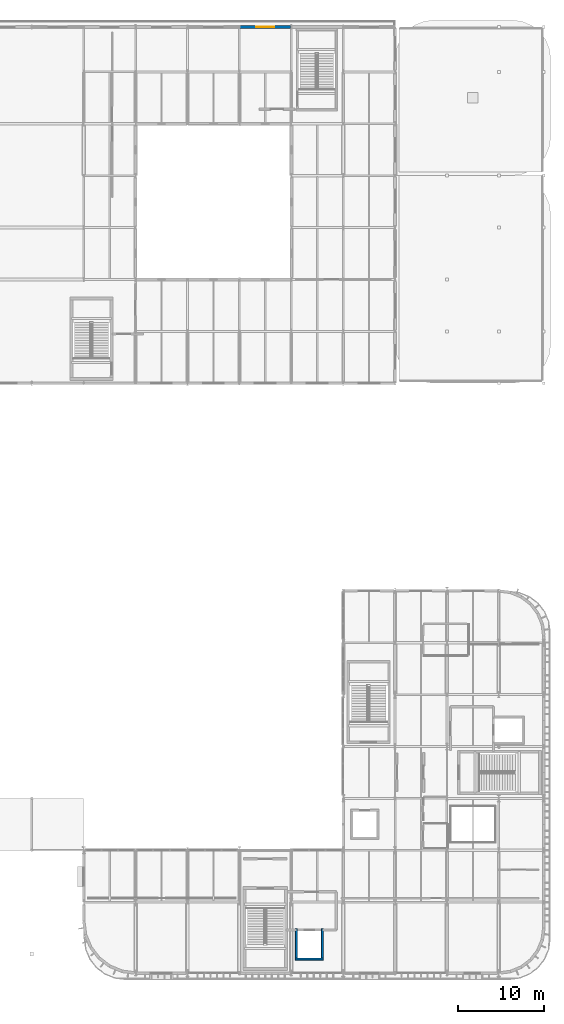
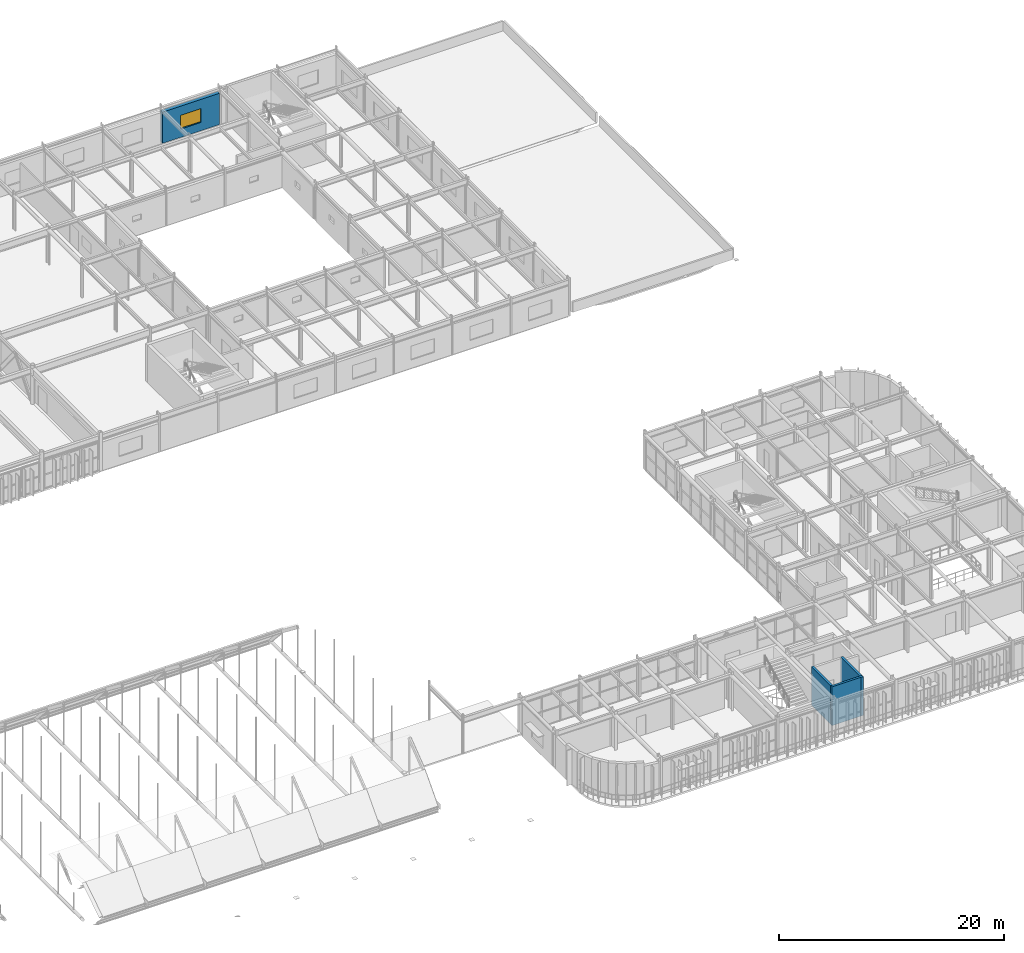
# One storey, part 93 of 116: 4 walls, 1 window, 1 opening.
"""IFC4 building model written with IfcOpenShell, lengths in metres."""

from ifc_helpers import new_model, si_unit, direction, frame, frame_2d, origin, place, context, subcontext, project, spatial, rectangle, extrude, material, layer, layer_set, type_object, element, fill, save


model = new_model("IFC4")

# Units and contexts
model_context = context("Model", 3, precision=1e-05, world=origin(), true_north=direction((0.0, 1.0)))
body_context = subcontext(model_context, "Body", "Model", "MODEL_VIEW")
ifc_project = project(units=[si_unit("LENGTHUNIT", "METRE"), si_unit("AREAUNIT", "SQUARE_METRE"), si_unit("VOLUMEUNIT", "CUBIC_METRE"), si_unit("PLANEANGLEUNIT", "RADIAN"), si_unit("MASSUNIT", "GRAM", prefix="KILO")], contexts=[model_context])

# Site, building, storey
site_placement = place(None, origin())
site = spatial("IfcSite", under=ifc_project, at=site_placement, CompositionType="ELEMENT")
building_placement = place(site_placement, origin())
building = spatial("IfcBuilding", under=site, at=building_placement, Name="Varnakota Square Police Headquarters", CompositionType="ELEMENT")
storey_placement = place(building_placement, frame((0.0, 0.0, 9.300048828125)))
storey = spatial("IfcBuildingStorey", under=building, at=storey_placement, Name="L02", CompositionType="ELEMENT", Elevation=9.300048828125)

# Walls
ifc_material_1 = material(Name="Concrete M40", Category="concrete")
ifc_layer_1 = layer(ifc_material_1, 0.22998046875, Name="Concrete M40")
ifc_layer_set_1 = layer_set([ifc_layer_1], Name="Concrete M40")
wall_type_1 = type_object("IfcWallType", Name="WL-CORE-230", PredefinedType="SHEAR", material=ifc_layer_set_1)
wall_1_placement = place(storey_placement, frame((132.485107421875, 2.39990234375, 0.0), z_axis=(0.0, 0.0, 1.0), x_axis=(1.0, 0.0, 0.0)))
element("IfcWall", 1, at=wall_1_placement, inside=storey, type_object=wall_type_1, Name="Lift shaft wall LF-FF1 L02 S", PredefinedType="SHEAR", context=body_context, shape_type="SweptSolid", body=[
    extrude(rectangle(XDim=3.22998046875, YDim=0.22998046875, at=frame_2d((1.614990234375, 0.0))), origin(), (0.0, 0.0, 1.0), 4.199951171875),
])
for number, where, z_axis, x_axis, name in (
    (2, (135.60009765625, 2.284912109375, 0.0), (0.0, 0.0, 1.0), (0.0, 1.0, 0.0), "Lift shaft wall LF-FF1 L02 E"),
    (3, (132.60009765625, 5.9150390625, 0.0), (0.0, 0.0, 1.0), (0.0, -1.0, 0.0), "Lift shaft wall LF-FF1 L02 W"),
):
    element("IfcWall", number, at=place(storey_placement, frame(where, z_axis=z_axis, x_axis=x_axis)), inside=storey, type_object=wall_type_1, Name=name, PredefinedType="SHEAR", context=body_context, shape_type="SweptSolid", body=[
        extrude(rectangle(XDim=3.630126953125, YDim=0.22998046875, at=frame_2d((1.81494140625, 0.0))), origin(), (0.0, 0.0, 1.0), 4.199951171875),
    ])

# Wall, opening, window
ifc_layer_2 = layer(ifc_material_1, 0.340087890625, Name="Concrete M40")
ifc_layer_set_2 = layer_set([ifc_layer_2], Name="Concrete M40")
wall_type_2 = type_object("IfcWallType", Name="WL-EXT-340", PredefinedType="SOLIDWALL", material=ifc_layer_set_2)
wall_2_placement = place(storey_placement, frame((126.0791015625, 110.199951171875, 0.0), z_axis=(0.0, 0.0, 1.0), x_axis=(1.0, 0.0, 0.0)))
wall_2 = element("IfcWall", 4, at=wall_2_placement, inside=storey, type_object=wall_type_2, Name="Exterior wall EW-L02-0730", PredefinedType="SOLIDWALL", context=body_context, shape_type="SweptSolid", body=[
    extrude(rectangle(XDim=5.841796875, YDim=0.340087890625, at=frame_2d((2.9208984375, 0.0))), origin(), (0.0, 0.0, 1.0), 3.389892578125),
])
opening_placement = place(wall_2_placement, frame((1.87109375, 0.0, 0.89990234375)))
opening = element("IfcOpeningElement", 5, at=opening_placement, cuts=wall_2, Name="Opening W08", PredefinedType="OPENING", context=body_context, shape_type="SweptSolid", body=[
    extrude(rectangle(XDim=2.10009765625, YDim=1.5, at=frame_2d((1.050048828125, 0.75))), frame((0.0, 0.179931640625, 0.0), z_axis=(0.0, -1.0, 0.0), x_axis=(1.0, 0.0, 0.0)), (0.0, 0.0, 1.0), 0.360107421875),
])
ifc_material_2 = material(Name="Thermally Broken Aluminium Double-Glazed Window", Category="aluminium")
window_type = type_object("IfcWindowType", Name="WIN-08", PartitioningType="SINGLE_PANEL", PredefinedType="WINDOW", material=ifc_material_2)
window_placement = place(opening_placement, origin())
window = element("IfcWindow", 6, at=window_placement, inside=storey, type_object=window_type, Name="Window WN-L02-0233", OverallHeight=1.5, OverallWidth=2.10009765625, PartitioningType="SINGLE_PANEL", PredefinedType="WINDOW", context=body_context, shape_type="SweptSolid", body=[
    extrude(rectangle(XDim=2.10009765625, YDim=1.5, at=frame_2d((1.050048828125, 0.75))), frame((0.0, 0.030029296875, 0.0), z_axis=(0.0, -1.0, 0.0), x_axis=(1.0, 0.0, 0.0)), (0.0, 0.0, 1.0), 0.06005859375),
])
fill(opening, window)

save(model, "model.ifc")
